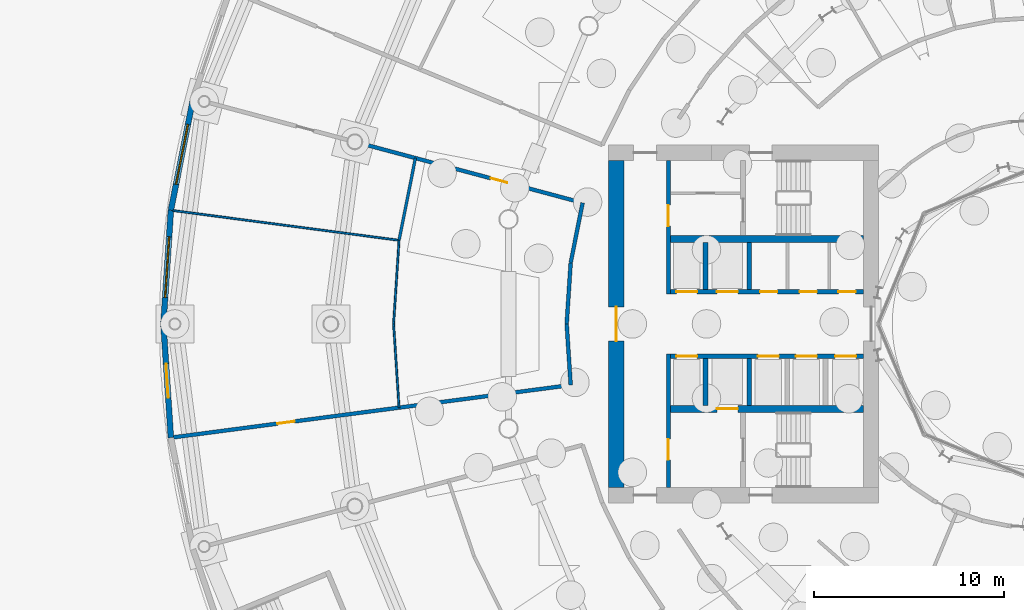
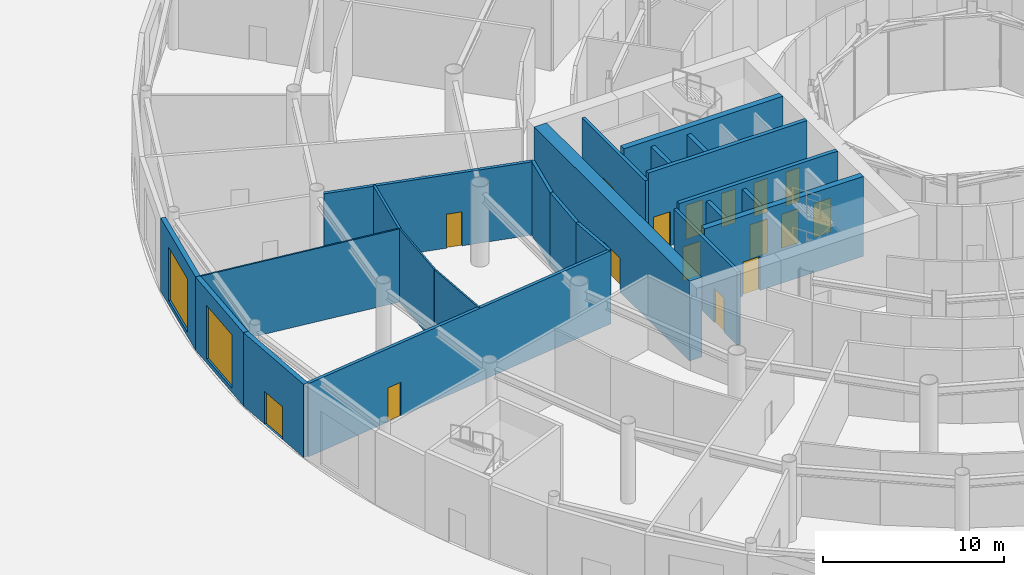
# One storey, part 22 of 41: 23 walls, 16 doors, 2 windows, 18 openings.
"""IFC4 building model written with IfcOpenShell, lengths in metres."""

from ifc_helpers import new_model, si_unit, direction, frame, frame_2d, origin, place, context, subcontext, project, spatial, rectangle, extrude, material, layer, layer_set, type_object, element, fill, save


model = new_model("IFC4")

# Units and contexts
model_context = context("Model", 3, precision=1e-05, world=origin(), true_north=direction((0.0, 1.0)))
body_context = subcontext(model_context, "Body", "Model", "MODEL_VIEW")
ifc_project = project(units=[si_unit("LENGTHUNIT", "METRE"), si_unit("AREAUNIT", "SQUARE_METRE"), si_unit("VOLUMEUNIT", "CUBIC_METRE"), si_unit("PLANEANGLEUNIT", "RADIAN"), si_unit("MASSUNIT", "GRAM", prefix="KILO")], contexts=[model_context])

# Site, building, storey
site_placement = place(None, origin())
site = spatial("IfcSite", under=ifc_project, at=site_placement, CompositionType="ELEMENT")
building_placement = place(site_placement, origin())
building = spatial("IfcBuilding", under=site, at=building_placement, Name="Maasbend Ring Residences", CompositionType="ELEMENT")
storey_placement = place(building_placement, origin())
storey = spatial("IfcBuildingStorey", under=building, at=storey_placement, Name="L00", CompositionType="ELEMENT", Elevation=0.0)

# Wall, openings, doors
ifc_material_1 = material(Name="Concrete C70/85", Category="concrete")
ifc_layer_1 = layer(ifc_material_1, 0.25)
ifc_layer_set_1 = layer_set([ifc_layer_1], Name="Concrete C70/85")
wall_type_1 = type_object("IfcWallType", Name="CORE WALL 250 C70/85", PredefinedType="SHEAR", material=ifc_layer_set_1)
wall_1_placement = place(storey_placement, frame((-9.0, -1.699951171875, 0.0), z_axis=(0.0, 0.0, 1.0), x_axis=(-1.0, 0.0, 0.0)))
wall_1 = element("IfcWall", 1, at=wall_1_placement, inside=storey, type_object=wall_type_1, Name="L00 core W wall SPN", PredefinedType="SHEAR", context=body_context, shape_type="SweptSolid", body=[
    extrude(rectangle(XDim=10.14990234375, YDim=0.25, at=frame_2d((5.074951171875, 0.0))), origin(), (0.0, 0.0, 1.0), 5.39990234375),
])
opening_1_placement = place(wall_1_placement, frame((0.387451171875, 0.0, 0.0)))
opening_1 = element("IfcOpeningElement", 2, at=opening_1_placement, cuts=wall_1, Name="Opening LD-W0001", PredefinedType="OPENING", context=body_context, shape_type="SweptSolid", body=[
    extrude(rectangle(XDim=1.10009765625, YDim=2.300048828125, at=frame_2d((0.550048828125, 1.14990234375))), frame((0.0, 0.135009765625, 0.0), z_axis=(0.0, -1.0, 0.0), x_axis=(1.0, 0.0, 0.0)), (0.0, 0.0, 1.0), 0.27001953125),
])
opening_2_placement = place(wall_1_placement, frame((2.449951171875, 0.0, 0.0)))
opening_2 = element("IfcOpeningElement", 3, at=opening_2_placement, cuts=wall_1, Name="Opening LD-W0002", PredefinedType="OPENING", context=body_context, shape_type="SweptSolid", body=[
    extrude(rectangle(XDim=1.10009765625, YDim=2.300048828125, at=frame_2d((0.550048828125, 1.14990234375))), frame((0.0, 0.135009765625, 0.0), z_axis=(0.0, -1.0, 0.0), x_axis=(1.0, 0.0, 0.0)), (0.0, 0.0, 1.0), 0.27001953125),
])
opening_3_placement = place(wall_1_placement, frame((4.449951171875, 0.0, 0.0)))
opening_3 = element("IfcOpeningElement", 4, at=opening_3_placement, cuts=wall_1, Name="Opening LD-W0003", PredefinedType="OPENING", context=body_context, shape_type="SweptSolid", body=[
    extrude(rectangle(XDim=1.10009765625, YDim=2.300048828125, at=frame_2d((0.550048828125, 1.14990234375))), frame((0.0, 0.135009765625, 0.0), z_axis=(0.0, -1.0, 0.0), x_axis=(1.0, 0.0, 0.0)), (0.0, 0.0, 1.0), 0.27001953125),
])
opening_4_placement = place(wall_1_placement, frame((8.737548828125, 0.0, 0.0)))
opening_4 = element("IfcOpeningElement", 5, at=opening_4_placement, cuts=wall_1, Name="Opening LD-W0005", PredefinedType="OPENING", context=body_context, shape_type="SweptSolid", body=[
    extrude(rectangle(XDim=1.10009765625, YDim=2.300048828125, at=frame_2d((0.550048828125, 1.14990234375))), frame((0.0, 0.135009765625, 0.0), z_axis=(0.0, -1.0, 0.0), x_axis=(1.0, 0.0, 0.0)), (0.0, 0.0, 1.0), 0.27001953125),
])
ifc_material_2 = material(Name="Stainless steel 316", Category="steel")
door_type_1 = type_object("IfcDoorType", Name="LANDING DOOR 1100 X 2300 FD60", OperationType="DOUBLE_DOOR_SLIDING", PredefinedType="DOOR", material=ifc_material_2)
door_1_placement = place(opening_1_placement, origin())
door_1 = element("IfcDoor", 6, at=door_1_placement, inside=storey, type_object=door_type_1, Name="Landing door LR-W1 L00", OperationType="DOUBLE_DOOR_SLIDING", OverallHeight=2.300048828125, OverallWidth=1.10009765625, PredefinedType="DOOR", context=body_context, shape_type="SweptSolid", body=[
    extrude(rectangle(XDim=1.10009765625, YDim=2.300048828125, at=frame_2d((0.550048828125, 1.14990234375))), frame((0.0, 0.02490234375, 0.0), z_axis=(0.0, -1.0, 0.0), x_axis=(1.0, 0.0, 0.0)), (0.0, 0.0, 1.0), 0.050048828125),
])
fill(opening_1, door_1)
door_2_placement = place(opening_2_placement, origin())
door_2 = element("IfcDoor", 7, at=door_2_placement, inside=storey, type_object=door_type_1, Name="Landing door LR-W2 L00", OperationType="DOUBLE_DOOR_SLIDING", OverallHeight=2.300048828125, OverallWidth=1.10009765625, PredefinedType="DOOR", context=body_context, shape_type="SweptSolid", body=[
    extrude(rectangle(XDim=1.10009765625, YDim=2.300048828125, at=frame_2d((0.550048828125, 1.14990234375))), frame((0.0, 0.02490234375, 0.0), z_axis=(0.0, -1.0, 0.0), x_axis=(1.0, 0.0, 0.0)), (0.0, 0.0, 1.0), 0.050048828125),
])
fill(opening_2, door_2)
door_3_placement = place(opening_3_placement, origin())
door_3 = element("IfcDoor", 8, at=door_3_placement, inside=storey, type_object=door_type_1, Name="Landing door LR-W3 L00", OperationType="DOUBLE_DOOR_SLIDING", OverallHeight=2.300048828125, OverallWidth=1.10009765625, PredefinedType="DOOR", context=body_context, shape_type="SweptSolid", body=[
    extrude(rectangle(XDim=1.10009765625, YDim=2.300048828125, at=frame_2d((0.550048828125, 1.14990234375))), frame((0.0, 0.02490234375, 0.0), z_axis=(0.0, -1.0, 0.0), x_axis=(1.0, 0.0, 0.0)), (0.0, 0.0, 1.0), 0.050048828125),
])
fill(opening_3, door_3)
door_4_placement = place(opening_4_placement, origin())
door_4 = element("IfcDoor", 9, at=door_4_placement, inside=storey, type_object=door_type_1, Name="Landing door SH-W L00", OperationType="DOUBLE_DOOR_SLIDING", OverallHeight=2.300048828125, OverallWidth=1.10009765625, PredefinedType="DOOR", context=body_context, shape_type="SweptSolid", body=[
    extrude(rectangle(XDim=1.10009765625, YDim=2.300048828125, at=frame_2d((0.550048828125, 1.14990234375))), frame((0.0, 0.02490234375, 0.0), z_axis=(0.0, -1.0, 0.0), x_axis=(1.0, 0.0, 0.0)), (0.0, 0.0, 1.0), 0.050048828125),
])
fill(opening_4, door_4)

wall_2_placement = place(storey_placement, frame((-19.14990234375, 1.699951171875, 0.0), z_axis=(0.0, 0.0, 1.0), x_axis=(1.0, 0.0, 0.0)))
wall_2 = element("IfcWall", 10, at=wall_2_placement, inside=storey, type_object=wall_type_1, Name="L00 core W wall SPS", PredefinedType="SHEAR", context=body_context, shape_type="SweptSolid", body=[
    extrude(rectangle(XDim=10.14990234375, YDim=0.25, at=frame_2d((5.074951171875, 0.0))), origin(), (0.0, 0.0, 1.0), 5.39990234375),
])
opening_5_placement = place(wall_2_placement, frame((2.449951171875, 0.0, 0.0)))
opening_5 = element("IfcOpeningElement", 11, at=opening_5_placement, cuts=wall_2, Name="Opening LD-W0006", PredefinedType="OPENING", context=body_context, shape_type="SweptSolid", body=[
    extrude(rectangle(XDim=1.10009765625, YDim=2.300048828125, at=frame_2d((0.550048828125, 1.14990234375))), frame((0.0, 0.135009765625, 0.0), z_axis=(0.0, -1.0, 0.0), x_axis=(1.0, 0.0, 0.0)), (0.0, 0.0, 1.0), 0.27001953125),
])
opening_6_placement = place(wall_2_placement, frame((0.3125, 0.0, 0.0)))
opening_6 = element("IfcOpeningElement", 12, at=opening_6_placement, cuts=wall_2, Name="Opening LD-W0007", PredefinedType="OPENING", context=body_context, shape_type="SweptSolid", body=[
    extrude(rectangle(XDim=1.10009765625, YDim=2.300048828125, at=frame_2d((0.550048828125, 1.14990234375))), frame((0.0, 0.135009765625, 0.0), z_axis=(0.0, -1.0, 0.0), x_axis=(1.0, 0.0, 0.0)), (0.0, 0.0, 1.0), 0.27001953125),
])
opening_7_placement = place(wall_2_placement, frame((8.83740234375, 0.0, 0.0)))
opening_7 = element("IfcOpeningElement", 13, at=opening_7_placement, cuts=wall_2, Name="Opening D-W0008", PredefinedType="OPENING", context=body_context, shape_type="SweptSolid", body=[
    extrude(rectangle(XDim=0.89990234375, YDim=2.300048828125, at=frame_2d((0.449951171875, 1.14990234375))), frame((0.0, 0.135009765625, 0.0), z_axis=(0.0, -1.0, 0.0), x_axis=(1.0, 0.0, 0.0)), (0.0, 0.0, 1.0), 0.27001953125),
])
opening_8_placement = place(wall_2_placement, frame((6.800048828125, 0.0, 0.0)))
opening_8 = element("IfcOpeningElement", 14, at=opening_8_placement, cuts=wall_2, Name="Opening D-W0009", PredefinedType="OPENING", context=body_context, shape_type="SweptSolid", body=[
    extrude(rectangle(XDim=0.89990234375, YDim=2.300048828125, at=frame_2d((0.449951171875, 1.14990234375))), frame((0.0, 0.135009765625, 0.0), z_axis=(0.0, -1.0, 0.0), x_axis=(1.0, 0.0, 0.0)), (0.0, 0.0, 1.0), 0.27001953125),
])
opening_9_placement = place(wall_2_placement, frame((4.72509765625, 0.0, 0.0)))
opening_9 = element("IfcOpeningElement", 15, at=opening_9_placement, cuts=wall_2, Name="Opening D-W0010", PredefinedType="OPENING", context=body_context, shape_type="SweptSolid", body=[
    extrude(rectangle(XDim=0.89990234375, YDim=2.300048828125, at=frame_2d((0.449951171875, 1.14990234375))), frame((0.0, 0.135009765625, 0.0), z_axis=(0.0, -1.0, 0.0), x_axis=(1.0, 0.0, 0.0)), (0.0, 0.0, 1.0), 0.27001953125),
])
door_5_placement = place(opening_5_placement, origin())
door_5 = element("IfcDoor", 16, at=door_5_placement, inside=storey, type_object=door_type_1, Name="Landing door SV-W L00", OperationType="DOUBLE_DOOR_SLIDING", OverallHeight=2.300048828125, OverallWidth=1.10009765625, PredefinedType="DOOR", context=body_context, shape_type="SweptSolid", body=[
    extrude(rectangle(XDim=1.10009765625, YDim=2.300048828125, at=frame_2d((0.550048828125, 1.14990234375))), frame((0.0, 0.02490234375, 0.0), z_axis=(0.0, -1.0, 0.0), x_axis=(1.0, 0.0, 0.0)), (0.0, 0.0, 1.0), 0.050048828125),
])
fill(opening_5, door_5)
door_6_placement = place(opening_6_placement, origin())
door_6 = element("IfcDoor", 17, at=door_6_placement, inside=storey, type_object=door_type_1, Name="Landing door OB-W L00", OperationType="DOUBLE_DOOR_SLIDING", OverallHeight=2.300048828125, OverallWidth=1.10009765625, PredefinedType="DOOR", context=body_context, shape_type="SweptSolid", body=[
    extrude(rectangle(XDim=1.10009765625, YDim=2.300048828125, at=frame_2d((0.550048828125, 1.14990234375))), frame((0.0, 0.02490234375, 0.0), z_axis=(0.0, -1.0, 0.0), x_axis=(1.0, 0.0, 0.0)), (0.0, 0.0, 1.0), 0.050048828125),
])
fill(opening_6, door_6)
ifc_material_3 = material(Name="Steel, powder coated", Category="steel")
door_type_2 = type_object("IfcDoorType", Name="ROOM DOOR 900 X 2300 FD30S", OperationType="NOTDEFINED", PredefinedType="DOOR", material=ifc_material_3)
door_7_placement = place(opening_7_placement, origin())
door_7 = element("IfcDoor", 18, at=door_7_placement, inside=storey, type_object=door_type_2, Name="Room door L00", OperationType="SINGLE_SWING_LEFT", OverallHeight=2.300048828125, OverallWidth=0.89990234375, PredefinedType="DOOR", context=body_context, shape_type="SweptSolid", body=[
    extrude(rectangle(XDim=0.89990234375, YDim=2.300048828125, at=frame_2d((0.449951171875, 1.14990234375))), frame((0.0, 0.02490234375, 0.0), z_axis=(0.0, -1.0, 0.0), x_axis=(1.0, 0.0, 0.0)), (0.0, 0.0, 1.0), 0.050048828125),
])
fill(opening_7, door_7)
door_8_placement = place(opening_8_placement, origin())
door_8 = element("IfcDoor", 19, at=door_8_placement, inside=storey, type_object=door_type_2, Name="Room door L00", OperationType="SINGLE_SWING_LEFT", OverallHeight=2.300048828125, OverallWidth=0.89990234375, PredefinedType="DOOR", context=body_context, shape_type="SweptSolid", body=[
    extrude(rectangle(XDim=0.89990234375, YDim=2.300048828125, at=frame_2d((0.449951171875, 1.14990234375))), frame((0.0, 0.02490234375, 0.0), z_axis=(0.0, -1.0, 0.0), x_axis=(1.0, 0.0, 0.0)), (0.0, 0.0, 1.0), 0.050048828125),
])
fill(opening_8, door_8)
door_9_placement = place(opening_9_placement, origin())
door_9 = element("IfcDoor", 20, at=door_9_placement, inside=storey, type_object=door_type_2, Name="Room door L00", OperationType="SINGLE_SWING_LEFT", OverallHeight=2.300048828125, OverallWidth=0.89990234375, PredefinedType="DOOR", context=body_context, shape_type="SweptSolid", body=[
    extrude(rectangle(XDim=0.89990234375, YDim=2.300048828125, at=frame_2d((0.449951171875, 1.14990234375))), frame((0.0, 0.02490234375, 0.0), z_axis=(0.0, -1.0, 0.0), x_axis=(1.0, 0.0, 0.0)), (0.0, 0.0, 1.0), 0.050048828125),
])
fill(opening_9, door_9)

# Wall, opening, door
ifc_material_4 = material(Name="Concrete C70/85", Category="concrete")
ifc_layer_2 = layer(ifc_material_4, 0.375)
ifc_layer_set_2 = layer_set([ifc_layer_2], Name="Concrete C70/85")
wall_type_2 = type_object("IfcWallType", Name="CORE WALL 375 C70/85", PredefinedType="SHEAR", material=ifc_layer_set_2)
wall_3_placement = place(storey_placement, frame((-9.0, -4.46240234375, 0.0), z_axis=(0.0, 0.0, 1.0), x_axis=(-1.0, 0.0, 0.0)))
wall_3 = element("IfcWall", 21, at=wall_3_placement, inside=storey, type_object=wall_type_2, Name="L00 core W wall BN", PredefinedType="SHEAR", context=body_context, shape_type="SweptSolid", body=[
    extrude(rectangle(XDim=10.14990234375, YDim=0.375, at=frame_2d((5.074951171875, 0.0))), origin(), (0.0, 0.0, 1.0), 5.39990234375),
])
opening_10_placement = place(wall_3_placement, frame((6.60009765625, 0.0, 0.0)))
opening_10 = element("IfcOpeningElement", 22, at=opening_10_placement, cuts=wall_3, Name="Opening LD-W0004", PredefinedType="OPENING", context=body_context, shape_type="SweptSolid", body=[
    extrude(rectangle(XDim=1.10009765625, YDim=2.300048828125, at=frame_2d((0.550048828125, 1.14990234375))), frame((0.0, 0.197509765625, 0.0), z_axis=(0.0, -1.0, 0.0), x_axis=(1.0, 0.0, 0.0)), (0.0, 0.0, 1.0), 0.39501953125),
])
door_10_placement = place(opening_10_placement, origin())
door_10 = element("IfcDoor", 23, at=door_10_placement, inside=storey, type_object=door_type_1, Name="Landing door FF-W L00", OperationType="DOUBLE_DOOR_SLIDING", OverallHeight=2.300048828125, OverallWidth=1.10009765625, PredefinedType="DOOR", context=body_context, shape_type="SweptSolid", body=[
    extrude(rectangle(XDim=1.10009765625, YDim=2.300048828125, at=frame_2d((0.550048828125, 1.14990234375))), frame((0.0, 0.02490234375, 0.0), z_axis=(0.0, -1.0, 0.0), x_axis=(1.0, 0.0, 0.0)), (0.0, 0.0, 1.0), 0.050048828125),
])
fill(opening_10, door_10)

# Wall
wall_4_placement = place(storey_placement, frame((-9.0, 4.46240234375, 0.0), z_axis=(0.0, 0.0, 1.0), x_axis=(-1.0, 0.0, 0.0)))
element("IfcWall", 24, at=wall_4_placement, inside=storey, type_object=wall_type_2, Name="L00 core W wall BS", PredefinedType="SHEAR", context=body_context, shape_type="SweptSolid", body=[
    extrude(rectangle(XDim=10.14990234375, YDim=0.375, at=frame_2d((5.074951171875, 0.0))), origin(), (0.0, 0.0, 1.0), 5.39990234375),
])

# Wall, opening, door
ifc_material_5 = material(Name="Concrete C70/85", Category="concrete")
ifc_layer_3 = layer(ifc_material_5, 0.800048828125)
ifc_layer_set_3 = layer_set([ifc_layer_3], Name="Concrete C70/85")
wall_type_3 = type_object("IfcWallType", Name="CORE WALL 800 C70/85", PredefinedType="SHEAR", material=ifc_layer_set_3)
wall_5_placement = place(storey_placement, frame((-22.0, -8.60009765625, 0.0), z_axis=(0.0, 0.0, 1.0), x_axis=(0.0, 1.0, 0.0)))
wall_5 = element("IfcWall", 25, at=wall_5_placement, inside=storey, type_object=wall_type_3, Name="L00 core W wall POUT", PredefinedType="SHEAR", context=body_context, shape_type="SweptSolid", body=[
    extrude(rectangle(XDim=17.2001953125, YDim=0.800048828125, at=frame_2d((8.60009765625, 0.0))), origin(), (0.0, 0.0, 1.0), 5.39990234375),
])
opening_11_placement = place(wall_5_placement, frame((7.699951171875, 0.0, 0.0)))
opening_11 = element("IfcOpeningElement", 26, at=opening_11_placement, cuts=wall_5, Name="Opening D-W0019", PredefinedType="OPENING", context=body_context, shape_type="SweptSolid", body=[
    extrude(rectangle(XDim=1.800048828125, YDim=2.300048828125, at=frame_2d((0.89990234375, 1.14990234375))), frame((0.0, 0.41015625, 0.0), z_axis=(0.0, -1.0, 0.0), x_axis=(1.0, 0.0, 0.0)), (0.0, 0.0, 1.0), 0.820068359375),
])
ifc_material_6 = material(Name="Aluminium frame, clear glass", Category="aluminium")
door_type_3 = type_object("IfcDoorType", Name="ENTRANCE DOOR 1800 X 2300 FD60", OperationType="NOTDEFINED", PredefinedType="DOOR", material=ifc_material_6)
door_11_placement = place(opening_11_placement, origin())
door_11 = element("IfcDoor", 27, at=door_11_placement, inside=storey, type_object=door_type_3, Name="Lobby glazed door L00", OperationType="SINGLE_SWING_LEFT", OverallHeight=2.300048828125, OverallWidth=1.800048828125, PredefinedType="DOOR", context=body_context, shape_type="SweptSolid", body=[
    extrude(rectangle(XDim=1.800048828125, YDim=2.300048828125, at=frame_2d((0.89990234375, 1.14990234375))), frame((0.0, 0.02490234375, 0.0), z_axis=(0.0, -1.0, 0.0), x_axis=(1.0, 0.0, 0.0)), (0.0, 0.0, 1.0), 0.050048828125),
])
fill(opening_11, door_11)

# Wall
ifc_material_7 = material(Name="Concrete C30/37", Category="concrete")
ifc_layer_4 = layer(ifc_material_7, 0.199951171875)
ifc_layer_set_4 = layer_set([ifc_layer_4], Name="Concrete C30/37")
wall_type_4 = type_object("IfcWallType", Name="CORRIDOR WALL 200 CONCRETE", PredefinedType="PARTITIONING", material=ifc_layer_set_4)
wall_6_placement = place(storey_placement, frame((-24.60009765625, 0.0, 0.0), z_axis=(0.0, 0.0, 1.0), x_axis=(0.06532549509, -0.997864008616, 0.0)))
element("IfcWall", 28, at=wall_6_placement, inside=storey, type_object=wall_type_4, Name="U-L00-w019", PredefinedType="PARTITIONING", context=body_context, shape_type="SweptSolid", body=[
    extrude(rectangle(XDim=3.2177734375, YDim=0.199951171875, at=frame_2d((1.60888671875, 0.0))), origin(), (0.0, 0.0, 1.0), 4.949951171875),
])

# Wall, opening, door
wall_7_placement = place(storey_placement, frame((-45.297119140625, -5.962890625, 0.0), z_axis=(0.0, 0.0, 1.0), x_axis=(0.991454137917, 0.13045571052, 0.0)))
wall_7 = element("IfcWall", 29, at=wall_7_placement, inside=storey, type_object=wall_type_4, Name="U-L00-w080", PredefinedType="PARTITIONING", context=body_context, shape_type="SweptSolid", body=[
    extrude(rectangle(XDim=21.08740234375, YDim=0.199951171875, at=frame_2d((10.543701171875, 0.0))), origin(), (0.0, 0.0, 1.0), 4.949951171875),
])
opening_12_placement = place(wall_7_placement, frame((5.5439453125, 0.0, 0.0)))
opening_12 = element("IfcOpeningElement", 30, at=opening_12_placement, cuts=wall_7, Name="Opening D-0034", PredefinedType="OPENING", context=body_context, shape_type="SweptSolid", body=[
    extrude(rectangle(XDim=0.89990234375, YDim=2.300048828125, at=frame_2d((0.449951171875, 1.14990234375))), frame((0.0, 0.10986328125, 0.0), z_axis=(0.0, -1.0, 0.0), x_axis=(1.0, 0.0, 0.0)), (0.0, 0.0, 1.0), 0.219970703125),
])
ifc_material_8 = material(Name="Timber, painted", Category="wood")
door_type_4 = type_object("IfcDoorType", Name="INTERNAL DOOR 900 X 2300", OperationType="NOTDEFINED", PredefinedType="DOOR", material=ifc_material_8)
door_12_placement = place(opening_12_placement, origin())
door_12 = element("IfcDoor", 31, at=door_12_placement, inside=storey, type_object=door_type_4, Name="D-0034", OperationType="SINGLE_SWING_LEFT", OverallHeight=2.300048828125, OverallWidth=0.89990234375, PredefinedType="DOOR", context=body_context, shape_type="SweptSolid", body=[
    extrude(rectangle(XDim=0.89990234375, YDim=2.300048828125, at=frame_2d((0.449951171875, 1.14990234375))), frame((0.0, 0.02490234375, 0.0), z_axis=(0.0, -1.0, 0.0), x_axis=(1.0, 0.0, 0.0)), (0.0, 0.0, 1.0), 0.050048828125),
])
fill(opening_12, door_12)

wall_8_placement = place(storey_placement, frame((-35.35400390625, 9.471923828125, 0.0), z_axis=(0.0, 0.0, 1.0), x_axis=(0.965928346829, -0.258809638136, 0.0)))
wall_8 = element("IfcWall", 32, at=wall_8_placement, inside=storey, type_object=wall_type_4, Name="U-L00-w087", PredefinedType="PARTITIONING", context=body_context, shape_type="SweptSolid", body=[
    extrude(rectangle(XDim=12.0009765625, YDim=0.199951171875, at=frame_2d((6.00048828125, 0.0))), origin(), (0.0, 0.0, 1.0), 4.949951171875),
])
opening_13_placement = place(wall_8_placement, frame((7.0009765625, 0.0, 0.0)))
opening_13 = element("IfcOpeningElement", 33, at=opening_13_placement, cuts=wall_8, Name="Opening D-0032", PredefinedType="OPENING", context=body_context, shape_type="SweptSolid", body=[
    extrude(rectangle(XDim=0.89990234375, YDim=2.300048828125, at=frame_2d((0.449951171875, 1.14990234375))), frame((0.0, 0.10986328125, 0.0), z_axis=(0.0, -1.0, 0.0), x_axis=(1.0, 0.0, 0.0)), (0.0, 0.0, 1.0), 0.219970703125),
])
ifc_material_9 = material(Name="Steel, fire-rated, painted", Category="steel")
door_type_5 = type_object("IfcDoorType", Name="SERVICE DOOR 900 X 2300 FIRE-RATED", OperationType="NOTDEFINED", PredefinedType="DOOR", material=ifc_material_9)
door_13_placement = place(opening_13_placement, origin())
door_13 = element("IfcDoor", 34, at=door_13_placement, inside=storey, type_object=door_type_5, Name="D-0032", OperationType="SINGLE_SWING_RIGHT", OverallHeight=2.300048828125, OverallWidth=0.89990234375, PredefinedType="DOOR", context=body_context, shape_type="SweptSolid", body=[
    extrude(rectangle(XDim=0.89990234375, YDim=2.300048828125, at=frame_2d((0.449951171875, 1.14990234375))), frame((0.0, 0.02490234375, 0.0), z_axis=(0.0, -1.0, 0.0), x_axis=(1.0, 0.0, 0.0)), (0.0, 0.0, 1.0), 0.050048828125),
])
fill(opening_13, door_13)

# Walls
for number, where, z_axis, x_axis, name in (
    (35, (-24.60009765625, 0.0, 0.0), (0.0, 0.0, 1.0), (0.06532549509, 0.997864008616, 0.0), "U-L00-w178"),
    (36, (-24.389892578125, 3.2109375, 0.0), (0.0, 0.0, 1.0), (0.195138477717, 0.98077570041, 0.0), "U-L00-w179"),
):
    element("IfcWall", number, at=place(storey_placement, frame(where, z_axis=z_axis, x_axis=x_axis)), inside=storey, type_object=wall_type_4, Name=name, PredefinedType="PARTITIONING", context=body_context, shape_type="SweptSolid", body=[
        extrude(rectangle(XDim=3.2177734375, YDim=0.199951171875, at=frame_2d((1.60888671875, 0.0))), origin(), (0.0, 0.0, 1.0), 4.949951171875),
    ])

# Wall, opening, window
ifc_material_10 = material(Name="Pale anodised aluminium panel", Category="aluminium")
ifc_layer_5 = layer(ifc_material_10, 0.300048828125)
ifc_layer_set_5 = layer_set([ifc_layer_5], Name="EW-BASE")
wall_type_5 = type_object("IfcWallType", Name="EW-BASE", PredefinedType="SOLIDWALL", material=ifc_layer_set_5)
wall_9_placement = place(storey_placement, frame((-44.239013671875, 11.85400390625, 0.0), z_axis=(0.0, 0.0, 1.0), x_axis=(-0.195112945602, -0.980780780021, 0.0)))
wall_9 = element("IfcWall", 37, at=wall_9_placement, inside=storey, type_object=wall_type_5, Name="Base block wall 23", PredefinedType="SOLIDWALL", context=body_context, shape_type="SweptSolid", body=[
    extrude(rectangle(XDim=5.9912109375, YDim=0.300048828125, at=frame_2d((2.99560546875, 0.0))), origin(), (0.0, 0.0, 1.0), 4.949951171875),
])
opening_14_placement = place(wall_9_placement, frame((1.3955078125, 0.0, 0.300048828125)))
opening_14 = element("IfcOpeningElement", 38, at=opening_14_placement, cuts=wall_9, Name="Opening W-SF", PredefinedType="OPENING", context=body_context, shape_type="SweptSolid", body=[
    extrude(rectangle(XDim=3.199951171875, YDim=3.60009765625, at=frame_2d((1.60009765625, 1.800048828125))), frame((0.0, 0.16015625, 0.0), z_axis=(0.0, -1.0, 0.0), x_axis=(1.0, 0.0, 0.0)), (0.0, 0.0, 1.0), 0.320068359375),
])
ifc_material_11 = material(Name="Aluminium and clear glass", Category="aluminium")
window_type = type_object("IfcWindowType", Name="W-SF", PartitioningType="SINGLE_PANEL", PredefinedType="WINDOW", material=ifc_material_11)
window_1_placement = place(opening_14_placement, origin())
window_1 = element("IfcWindow", 39, at=window_1_placement, inside=storey, type_object=window_type, Name="Shopfront 23", OverallHeight=3.60009765625, OverallWidth=3.199951171875, PartitioningType="SINGLE_PANEL", PredefinedType="WINDOW", context=body_context, shape_type="SweptSolid", body=[
    extrude(rectangle(XDim=3.199951171875, YDim=3.60009765625, at=frame_2d((1.60009765625, 1.800048828125))), frame((0.0, 0.030029296875, 0.0), z_axis=(0.0, -1.0, 0.0), x_axis=(1.0, 0.0, 0.0)), (0.0, 0.0, 1.0), 0.06005859375),
])
fill(opening_14, window_1)

wall_10_placement = place(storey_placement, frame((-45.407958984375, 5.97802734375, 0.0), z_axis=(0.0, 0.0, 1.0), x_axis=(-0.065447877106, -0.9978559893, 0.0)))
wall_10 = element("IfcWall", 40, at=wall_10_placement, inside=storey, type_object=wall_type_5, Name="Base block wall 24", PredefinedType="SOLIDWALL", context=body_context, shape_type="SweptSolid", body=[
    extrude(rectangle(XDim=5.990966796875, YDim=0.300048828125, at=frame_2d((2.99560546875, 0.0))), origin(), (0.0, 0.0, 1.0), 4.949951171875),
])
opening_15_placement = place(wall_10_placement, frame((1.3955078125, 0.0, 0.300048828125)))
opening_15 = element("IfcOpeningElement", 41, at=opening_15_placement, cuts=wall_10, Name="Opening W-SF", PredefinedType="OPENING", context=body_context, shape_type="SweptSolid", body=[
    extrude(rectangle(XDim=3.199951171875, YDim=3.60009765625, at=frame_2d((1.60009765625, 1.800048828125))), frame((0.0, 0.16015625, 0.0), z_axis=(0.0, -1.0, 0.0), x_axis=(1.0, 0.0, 0.0)), (0.0, 0.0, 1.0), 0.320068359375),
])
window_2_placement = place(opening_15_placement, origin())
window_2 = element("IfcWindow", 42, at=window_2_placement, inside=storey, type_object=window_type, Name="Shopfront 24", OverallHeight=3.60009765625, OverallWidth=3.199951171875, PartitioningType="SINGLE_PANEL", PredefinedType="WINDOW", context=body_context, shape_type="SweptSolid", body=[
    extrude(rectangle(XDim=3.199951171875, YDim=3.60009765625, at=frame_2d((1.60009765625, 1.800048828125))), frame((0.0, 0.030029296875, 0.0), z_axis=(0.0, -1.0, 0.0), x_axis=(1.0, 0.0, 0.0)), (0.0, 0.0, 1.0), 0.06005859375),
])
fill(opening_15, window_2)

# Wall, opening, door
wall_11_placement = place(storey_placement, frame((-45.800048828125, 0.0, 0.0), z_axis=(0.0, 0.0, 1.0), x_axis=(0.065447877106, -0.9978559893, 0.0)))
wall_11 = element("IfcWall", 43, at=wall_11_placement, inside=storey, type_object=wall_type_5, Name="Base block wall 25", PredefinedType="SOLIDWALL", context=body_context, shape_type="SweptSolid", body=[
    extrude(rectangle(XDim=5.990966796875, YDim=0.300048828125, at=frame_2d((2.99560546875, 0.0))), origin(), (0.0, 0.0, 1.0), 4.949951171875),
])
opening_16_placement = place(wall_11_placement, frame((2.095458984375, 0.0, 0.0)))
opening_16 = element("IfcOpeningElement", 44, at=opening_16_placement, cuts=wall_11, Name="Opening D-EX", PredefinedType="OPENING", context=body_context, shape_type="SweptSolid", body=[
    extrude(rectangle(XDim=1.800048828125, YDim=2.199951171875, at=frame_2d((0.89990234375, 1.10009765625))), frame((0.0, 0.16015625, 0.0), z_axis=(0.0, -1.0, 0.0), x_axis=(1.0, 0.0, 0.0)), (0.0, 0.0, 1.0), 0.320068359375),
])
ifc_material_12 = material(Name="Aluminium and clear glass", Category="aluminium")
door_type_6 = type_object("IfcDoorType", Name="D-EX", OperationType="DOUBLE_DOOR_SINGLE_SWING", PredefinedType="DOOR", material=ifc_material_12)
door_14_placement = place(opening_16_placement, origin())
door_14 = element("IfcDoor", 45, at=door_14_placement, inside=storey, type_object=door_type_6, Name="Exit door 25", OperationType="SINGLE_SWING_LEFT", OverallHeight=2.199951171875, OverallWidth=1.800048828125, PredefinedType="DOOR", context=body_context, shape_type="SweptSolid", body=[
    extrude(rectangle(XDim=1.800048828125, YDim=2.199951171875, at=frame_2d((0.89990234375, 1.10009765625))), frame((0.0, 0.02490234375, 0.0), z_axis=(0.0, -1.0, 0.0), x_axis=(1.0, 0.0, 0.0)), (0.0, 0.0, 1.0), 0.050048828125),
])
fill(opening_16, door_14)

# Walls
ifc_material_13 = material(Name="Gypsum board on steel studs", Category="steel")
ifc_layer_6 = layer(ifc_material_13, 0.10009765625)
ifc_layer_set_6 = layer_set([ifc_layer_6], Name="PARTITION 100 GYPSUM")
wall_type_6 = type_object("IfcWallType", Name="PARTITION 100 GYPSUM", PredefinedType="PARTITIONING", material=ifc_layer_set_6)
wall_12_placement = place(storey_placement, frame((-33.699951171875, 0.0, 0.0), z_axis=(0.0, 0.0, 1.0), x_axis=(0.065294928673, -0.997866009186, 0.0)))
element("IfcWall", 46, at=wall_12_placement, inside=storey, type_object=wall_type_6, Name="U-L00-w009", PredefinedType="PARTITIONING", context=body_context, shape_type="SweptSolid", body=[
    extrude(rectangle(XDim=4.408447265625, YDim=0.10009765625, at=frame_2d((2.2041015625, 0.0))), origin(), (0.0, 0.0, 1.0), 4.949951171875),
])
wall_13_placement = place(storey_placement, frame((-45.297119140625, 5.962890625, 0.0), z_axis=(0.0, 0.0, 1.0), x_axis=(0.991452701101, -0.130466629758, 0.0)))
element("IfcWall", 47, at=wall_13_placement, inside=storey, type_object=wall_type_6, Name="U-L00-w081", PredefinedType="PARTITIONING", context=body_context, shape_type="SweptSolid", body=[
    extrude(rectangle(XDim=11.987548828125, YDim=0.10009765625, at=frame_2d((5.99365234375, 0.0))), origin(), (0.0, 0.0, 1.0), 4.949951171875),
])
wall_14_placement = place(storey_placement, frame((-33.699951171875, 0.0, 0.0), z_axis=(0.0, 0.0, 1.0), x_axis=(0.065294928673, 0.997866009186, 0.0)))
element("IfcWall", 48, at=wall_14_placement, inside=storey, type_object=wall_type_6, Name="U-L00-w204", PredefinedType="PARTITIONING", context=body_context, shape_type="SweptSolid", body=[
    extrude(rectangle(XDim=4.408447265625, YDim=0.10009765625, at=frame_2d((2.2041015625, 0.0))), origin(), (0.0, 0.0, 1.0), 4.949951171875),
])
ifc_material_14 = material(Name="Gypsum board on steel studs", Category="steel")
ifc_layer_7 = layer(ifc_material_14, 0.14990234375)
ifc_layer_set_7 = layer_set([ifc_layer_7], Name="PARTITION 150 GYPSUM")
wall_type_7 = type_object("IfcWallType", Name="PARTITION 150 GYPSUM", PredefinedType="PARTITIONING", material=ifc_layer_set_7)
wall_15_placement = place(storey_placement, frame((-33.412109375, 4.39892578125, 0.0), z_axis=(0.0, 0.0, 1.0), x_axis=(0.19513607482, 0.980776178495, 0.0)))
element("IfcWall", 49, at=wall_15_placement, inside=storey, type_object=wall_type_7, Name="U-L00-w205", PredefinedType="PARTITIONING", context=body_context, shape_type="SweptSolid", body=[
    extrude(rectangle(XDim=4.40771484375, YDim=0.14990234375, at=frame_2d((2.203857421875, 0.0))), origin(), (0.0, 0.0, 1.0), 4.949951171875),
])

# Wall, opening, door
ifc_material_15 = material(Name="Concrete C30/37", Category="concrete")
ifc_layer_8 = layer(ifc_material_15, 0.199951171875)
ifc_layer_set_8 = layer_set([ifc_layer_8], Name="Concrete C30/37")
wall_type_8 = type_object("IfcWallType", Name="SHAFT WALL 200 EI 120", PredefinedType="SOLIDWALL", material=ifc_layer_set_8)
wall_16_placement = place(storey_placement, frame((-19.25, -1.574951171875, 0.0), z_axis=(0.0, 0.0, 1.0), x_axis=(0.0, -1.0, 0.0)))
wall_16 = element("IfcWall", 50, at=wall_16_placement, inside=storey, type_object=wall_type_8, Name="L00 core W wall ENDN", PredefinedType="SOLIDWALL", context=body_context, shape_type="SweptSolid", body=[
    extrude(rectangle(XDim=7.025146484375, YDim=0.199951171875, at=frame_2d((3.5126953125, 0.0))), origin(), (0.0, 0.0, 1.0), 4.949951171875),
])
opening_17_placement = place(wall_16_placement, frame((4.47509765625, 0.0, 0.0)))
opening_17 = element("IfcOpeningElement", 51, at=opening_17_placement, cuts=wall_16, Name="Opening D-W0014", PredefinedType="OPENING", context=body_context, shape_type="SweptSolid", body=[
    extrude(rectangle(XDim=1.10009765625, YDim=2.300048828125, at=frame_2d((0.550048828125, 1.14990234375))), frame((0.0, 0.10986328125, 0.0), z_axis=(0.0, -1.0, 0.0), x_axis=(1.0, 0.0, 0.0)), (0.0, 0.0, 1.0), 0.219970703125),
])
ifc_material_16 = material(Name="Steel, powder coated", Category="steel")
door_type_7 = type_object("IfcDoorType", Name="LOBBY DOOR 1100 X 2300 FD60", OperationType="NOTDEFINED", PredefinedType="DOOR", material=ifc_material_16)
door_15_placement = place(opening_17_placement, origin())
door_15 = element("IfcDoor", 52, at=door_15_placement, inside=storey, type_object=door_type_7, Name="Lobby door L00", OperationType="SINGLE_SWING_LEFT", OverallHeight=2.300048828125, OverallWidth=1.10009765625, PredefinedType="DOOR", context=body_context, shape_type="SweptSolid", body=[
    extrude(rectangle(XDim=1.10009765625, YDim=2.300048828125, at=frame_2d((0.550048828125, 1.14990234375))), frame((0.0, 0.02490234375, 0.0), z_axis=(0.0, -1.0, 0.0), x_axis=(1.0, 0.0, 0.0)), (0.0, 0.0, 1.0), 0.050048828125),
])
fill(opening_17, door_15)

wall_17_placement = place(storey_placement, frame((-19.25, 8.60009765625, 0.0), z_axis=(0.0, 0.0, 1.0), x_axis=(0.0, -1.0, 0.0)))
wall_17 = element("IfcWall", 53, at=wall_17_placement, inside=storey, type_object=wall_type_8, Name="L00 core W wall ENDS", PredefinedType="SOLIDWALL", context=body_context, shape_type="SweptSolid", body=[
    extrude(rectangle(XDim=7.025146484375, YDim=0.199951171875, at=frame_2d((3.5126953125, 0.0))), origin(), (0.0, 0.0, 1.0), 4.949951171875),
])
opening_18_placement = place(wall_17_placement, frame((2.35009765625, 0.0, 0.0)))
opening_18 = element("IfcOpeningElement", 54, at=opening_18_placement, cuts=wall_17, Name="Opening D-W0015", PredefinedType="OPENING", context=body_context, shape_type="SweptSolid", body=[
    extrude(rectangle(XDim=1.10009765625, YDim=2.300048828125, at=frame_2d((0.550048828125, 1.14990234375))), frame((0.0, 0.10986328125, 0.0), z_axis=(0.0, -1.0, 0.0), x_axis=(1.0, 0.0, 0.0)), (0.0, 0.0, 1.0), 0.219970703125),
])
door_16_placement = place(opening_18_placement, origin())
door_16 = element("IfcDoor", 55, at=door_16_placement, inside=storey, type_object=door_type_7, Name="Lobby door L00", OperationType="SINGLE_SWING_RIGHT", OverallHeight=2.300048828125, OverallWidth=1.10009765625, PredefinedType="DOOR", context=body_context, shape_type="SweptSolid", body=[
    extrude(rectangle(XDim=1.10009765625, YDim=2.300048828125, at=frame_2d((0.550048828125, 1.14990234375))), frame((0.0, 0.02490234375, 0.0), z_axis=(0.0, -1.0, 0.0), x_axis=(1.0, 0.0, 0.0)), (0.0, 0.0, 1.0), 0.050048828125),
])
fill(opening_18, door_16)

# Walls
ifc_material_17 = material(Name="Concrete C30/37", Category="concrete")
ifc_layer_9 = layer(ifc_material_17, 0.25)
ifc_layer_set_9 = layer_set([ifc_layer_9], Name="Concrete C30/37")
wall_type_9 = type_object("IfcWallType", Name="SHAFT WALL 250 EI 120", PredefinedType="SOLIDWALL", material=ifc_layer_set_9)
for number, where, z_axis, x_axis, name in (
    (56, (-15.0, -1.824951171875, 0.0), (0.0, 0.0, 1.0), (0.0, -1.0, 0.0), "L00 core W wall D150N"),
    (57, (-17.300048828125, -1.824951171875, 0.0), (0.0, 0.0, 1.0), (0.0, -1.0, 0.0), "L00 core W wall D173N"),
    (58, (-15.0, 1.824951171875, 0.0), (0.0, 0.0, 1.0), (0.0, 1.0, 0.0), "L00 core W wall D150S"),
    (59, (-17.300048828125, 1.824951171875, 0.0), (0.0, 0.0, 1.0), (0.0, 1.0, 0.0), "L00 core W wall D173S"),
):
    element("IfcWall", number, at=place(storey_placement, frame(where, z_axis=z_axis, x_axis=x_axis)), inside=storey, type_object=wall_type_9, Name=name, PredefinedType="SOLIDWALL", context=body_context, shape_type="SweptSolid", body=[
        extrude(rectangle(XDim=2.449951171875, YDim=0.25, at=frame_2d((1.22509765625, 0.0))), origin(), (0.0, 0.0, 1.0), 4.949951171875),
    ])

save(model, "model.ifc")
